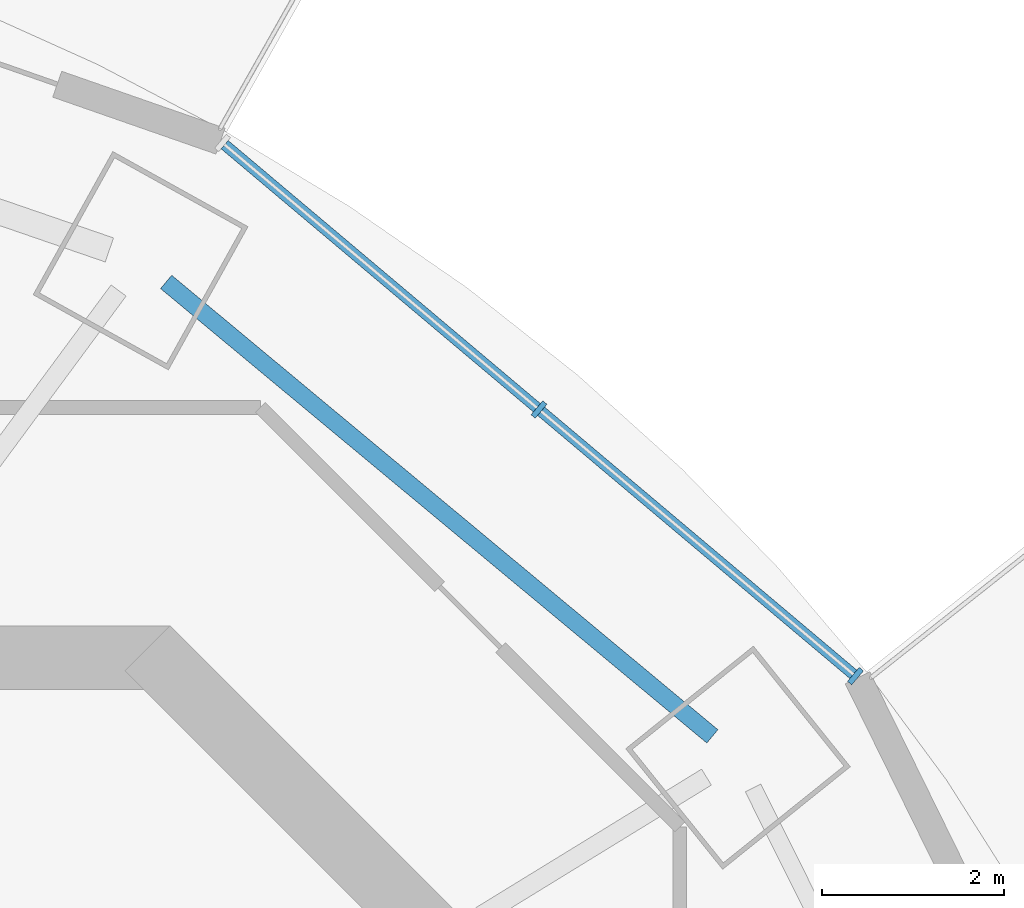
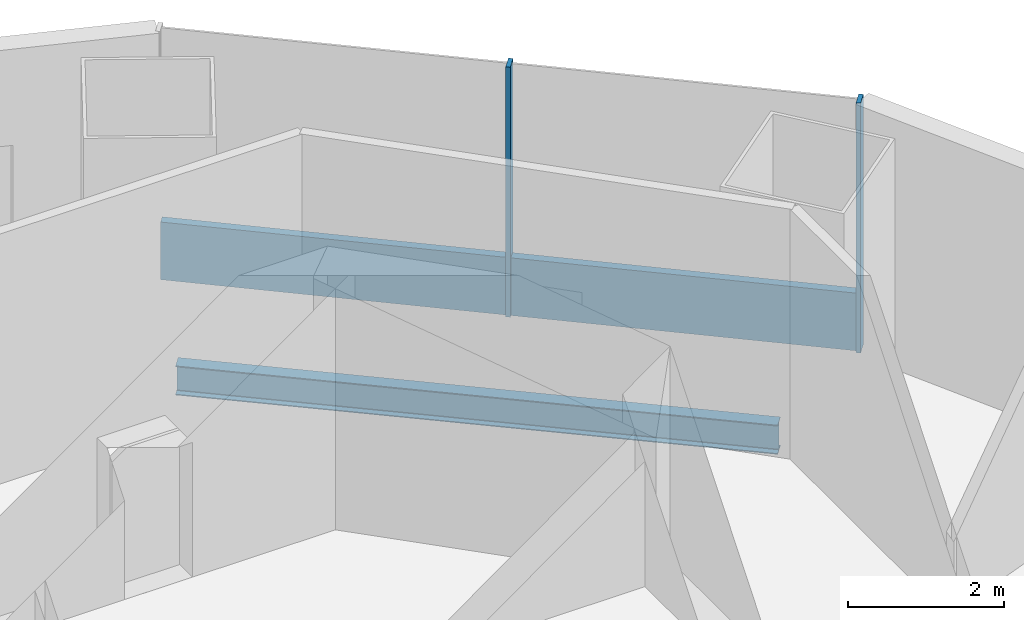
# One storey, part 6 of 14: 3 members, 1 beam, 1 element without a shape of its own.
"""IFC4 building model written with IfcOpenShell, lengths in metres."""

from ifc_helpers import new_model, si_unit, direction, frame, origin, origin_2d, place, context, subcontext, project, spatial, rectangle, i_section, extrude, material, material_profile, profile_set, type_object, element, aggregate, save


model = new_model("IFC4")

# Units and contexts
model_context = context("Model", 3, precision=1e-05, world=origin(), true_north=direction((0.0, 1.0)))
body_context = subcontext(model_context, "Body", "Model", "MODEL_VIEW")
ifc_project = project(units=[si_unit("LENGTHUNIT", "METRE"), si_unit("AREAUNIT", "SQUARE_METRE"), si_unit("VOLUMEUNIT", "CUBIC_METRE"), si_unit("PLANEANGLEUNIT", "RADIAN"), si_unit("MASSUNIT", "GRAM", prefix="KILO")], contexts=[model_context])

# Site, building, storey
site_placement = place(None, origin())
site = spatial("IfcSite", under=ifc_project, at=site_placement, CompositionType="ELEMENT")
building_placement = place(site_placement, origin())
building = spatial("IfcBuilding", under=site, at=building_placement, Name="Marenthal Gate Tower", CompositionType="ELEMENT")
storey_placement = place(building_placement, frame((0.0, 0.0, 392.39990234375)))
storey = spatial("IfcBuildingStorey", under=building, at=storey_placement, Name="L89", CompositionType="ELEMENT", Elevation=392.39990234375)

# Curtain wall, members
ifc_material_1 = material(Name="Aluminium and glass", Category="aluminium")
curtain_wall_type = type_object("IfcCurtainWallType", Name="Curtain wall typical high", PredefinedType="NOTDEFINED", material=ifc_material_1)
curtain_wall_placement = place(storey_placement, origin())
curtain_wall = element("IfcCurtainWall", 1, at=curtain_wall_placement, inside=storey, type_object=curtain_wall_type, Name="Curtain wall L89 bay 2", PredefinedType="NOTDEFINED")
ifc_material_2 = material(Name="Aluminium", Category="aluminium")
ifc_material_profile_1 = material_profile(ifc_material_2, rectangle(XDim=0.199951171875, YDim=0.06005859375, at=origin_2d()), Name="60x200 aluminium mullion")
ifc_profile_set_1 = profile_set([ifc_material_profile_1], Name="Aluminium")
member_type_1 = type_object("IfcMemberType", Name="Mullion 60x200 typical high", PredefinedType="MULLION", material=ifc_profile_set_1)
member_1_placement = place(storey_placement, frame((20.6796875, 12.79736328125, 0.0), z_axis=(0.0, 0.0, 1.0), x_axis=(-0.644265226944, -0.764802142616, 0.0)))
member_1 = element("IfcMember", 2, at=member_1_placement, type_object=member_type_1, Name="Mullion L89 bay 2.1", PredefinedType="MULLION", context=body_context, shape_type="SweptSolid", body=[
    extrude(rectangle(XDim=0.199951171875, YDim=0.06005859375, at=origin_2d()), origin(), (0.0, 0.0, 1.0), 3.900146484375),
])
member_2_placement = place(storey_placement, frame((17.201416015625, 15.7275390625, 0.0), z_axis=(0.0, 0.0, 1.0), x_axis=(-0.644265226944, -0.764802142616, 0.0)))
member_2 = element("IfcMember", 3, at=member_2_placement, type_object=member_type_1, Name="Mullion L89 bay 2.2", PredefinedType="MULLION", context=body_context, shape_type="SweptSolid", body=[
    extrude(rectangle(XDim=0.199951171875, YDim=0.06005859375, at=origin_2d()), origin(), (0.0, 0.0, 1.0), 3.900146484375),
])
ifc_material_3 = material(Name="Aluminium", Category="aluminium")
ifc_material_profile_2 = material_profile(ifc_material_3, rectangle(XDim=0.1201171875, YDim=0.89990234375, at=origin_2d()), Name="120x900 aluminium transom")
ifc_profile_set_2 = profile_set([ifc_material_profile_2], Name="Aluminium")
member_type_2 = type_object("IfcMemberType", Name="Transom 120x900 typical high", PredefinedType="USERDEFINED", material=ifc_profile_set_2)
member_3_placement = place(storey_placement, frame((20.65673828125, 12.816650390625, 0.4501953125), z_axis=(-0.764788567143, 0.644281341937, 0.0), x_axis=(-0.644281341937, -0.764788567143, 0.0)))
member_3 = element("IfcMember", 4, at=member_3_placement, type_object=member_type_2, Name="Transom L89 bay 2", ObjectType="TRANSOM", PredefinedType="USERDEFINED", context=body_context, shape_type="SweptSolid", body=[
    extrude(rectangle(XDim=0.1201171875, YDim=0.89990234375, at=origin_2d()), origin(), (0.0, 0.0, 1.0), 9.03564453125),
])
aggregate(curtain_wall, [member_1, member_2, member_3])

# Beam
ifc_material_4 = material(Name="Steel S355", Category="steel")
ifc_material_profile_3 = material_profile(ifc_material_4, i_section(OverallWidth=0.19091796875, OverallDepth=0.45703125, WebThickness=0.009033203125, FlangeThickness=0.014404296875, FilletRadius=0.01025390625, at=origin_2d()), Name="W460X74")
ifc_profile_set_3 = profile_set([ifc_material_profile_3], Name="Steel S355")
beam_type = type_object("IfcBeamType", Name="W460X74 beam", PredefinedType="BEAM", material=ifc_profile_set_3)
beam_placement = place(storey_placement, frame((19.106689453125, 12.13525390625, -0.408447265625), z_axis=(-0.768754019675, 0.63954457017, 0.0), x_axis=(-0.63954457017, -0.768754019675, 0.0)))
element("IfcBeam", 5, at=beam_placement, inside=storey, type_object=beam_type, Name="BM-L89-39", PredefinedType="BEAM", context=body_context, shape_type="SweptSolid", body=[
    extrude(i_section(OverallWidth=0.19091796875, OverallDepth=0.45703125, WebThickness=0.009033203125, FlangeThickness=0.014404296875, FilletRadius=0.01025390625, at=origin_2d()), origin(), (0.0, 0.0, 1.0), 7.809326171875),
])

save(model, "model.ifc")
